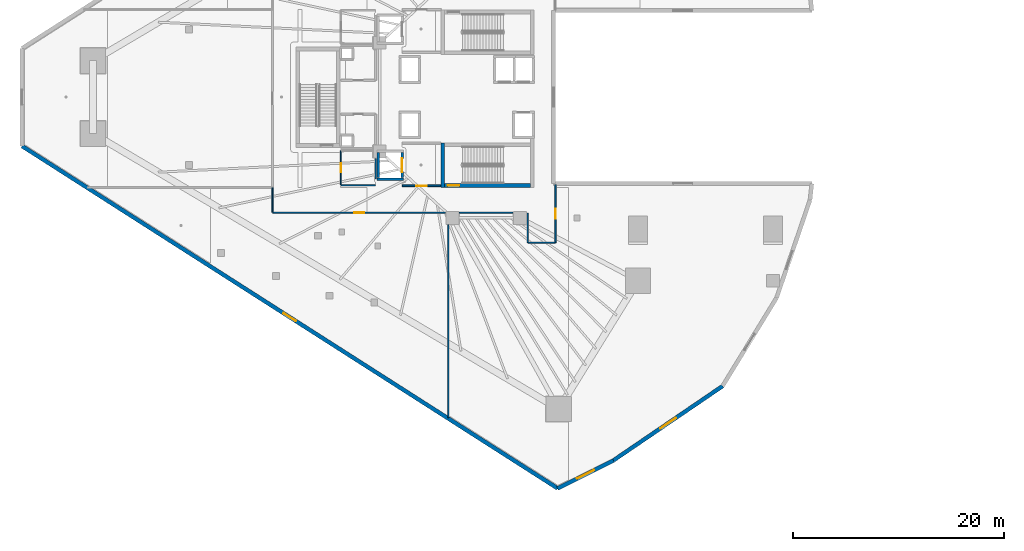
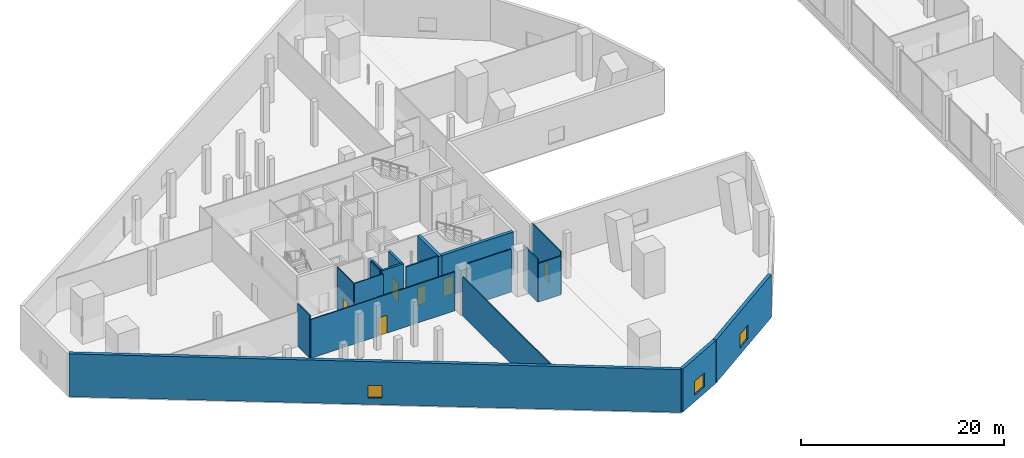
# One storey, part 26 of 47: 19 walls, 6 doors, 3 windows, 9 openings.
"""IFC4 building model written with IfcOpenShell, lengths in metres."""

from ifc_helpers import new_model, si_unit, direction, frame, frame_2d, origin, place, context, subcontext, project, spatial, rectangle, extrude, material, layer, layer_set, type_object, element, fill, save


model = new_model("IFC4")

# Units and contexts
model_context = context("Model", 3, precision=1e-05, world=origin(), true_north=direction((0.0, 1.0)))
body_context = subcontext(model_context, "Body", "Model", "MODEL_VIEW")
ifc_project = project(units=[si_unit("LENGTHUNIT", "METRE"), si_unit("AREAUNIT", "SQUARE_METRE"), si_unit("VOLUMEUNIT", "CUBIC_METRE"), si_unit("PLANEANGLEUNIT", "RADIAN"), si_unit("MASSUNIT", "GRAM", prefix="KILO")], contexts=[model_context])

# Site, building, storey
site_placement = place(None, origin())
site = spatial("IfcSite", under=ifc_project, at=site_placement, CompositionType="ELEMENT")
building_placement = place(site_placement, origin())
building = spatial("IfcBuilding", under=site, at=building_placement, Name="Qorvath Tower", CompositionType="ELEMENT")
storey_placement = place(building_placement, frame((0.0, 0.0, 6.60009765625)))
storey = spatial("IfcBuildingStorey", under=building, at=storey_placement, Name="L01", CompositionType="ELEMENT", Elevation=6.60009765625)

# Wall, opening, door
ifc_material_1 = material(Name="Gypsum shaftliner on steel studs", Category="steel")
ifc_layer_1 = layer(ifc_material_1, 0.179931640625)
ifc_layer_set_1 = layer_set([ifc_layer_1], Name="FW-LOBBY")
wall_type_1 = type_object("IfcWallType", Name="FW-LOBBY", PredefinedType="PARTITIONING", material=ifc_layer_set_1)
wall_1_placement = place(storey_placement, frame((-28.35498046875, -8.39990234375, 0.0), z_axis=(0.0, 0.0, 1.0), x_axis=(1.0, 0.0, 0.0)))
wall_1 = element("IfcWall", 1, at=wall_1_placement, inside=storey, type_object=wall_type_1, Name="Interior Partition IW-T1-L01-003", PredefinedType="PARTITIONING", context=body_context, shape_type="SweptSolid", body=[
    extrude(rectangle(XDim=3.6220703125, YDim=0.179931640625, at=frame_2d((1.81103515625, 0.0))), origin(), (0.0, 0.0, 1.0), 5.139892578125),
])
opening_1_placement = place(wall_1_placement, frame((1.31103515625, 0.0, 0.0)))
opening_1 = element("IfcOpeningElement", 2, at=opening_1_placement, cuts=wall_1, Name="Opening D-T1-L01-12", PredefinedType="OPENING", context=body_context, shape_type="SweptSolid", body=[
    extrude(rectangle(XDim=1.0, YDim=2.14990234375, at=frame_2d((0.5, 1.074951171875))), frame((0.0, 0.10009765625, 0.0), z_axis=(0.0, -1.0, 0.0), x_axis=(1.0, 0.0, 0.0)), (0.0, 0.0, 1.0), 0.199951171875),
])
ifc_material_2 = material(Name="Painted galvanised hollow metal", Category="steel")
door_type_1 = type_object("IfcDoorType", Name="FD-60", OperationType="NOTDEFINED", PredefinedType="DOOR", material=ifc_material_2)
door_1_placement = place(opening_1_placement, origin())
door_1 = element("IfcDoor", 3, at=door_1_placement, inside=storey, type_object=door_type_1, Name="Lobby Fire Service Elevator South Door D-T1-L01-12", OperationType="SINGLE_SWING_LEFT", OverallHeight=2.14990234375, OverallWidth=1.0, PredefinedType="DOOR", context=body_context, shape_type="SweptSolid", body=[
    extrude(rectangle(XDim=1.0, YDim=2.14990234375, at=frame_2d((0.5, 1.074951171875))), frame((0.0, 0.02490234375, 0.0), z_axis=(0.0, -1.0, 0.0), x_axis=(1.0, 0.0, 0.0)), (0.0, 0.0, 1.0), 0.050048828125),
])
fill(opening_1, door_1)

ifc_material_3 = material(Name="Gypsum board on metal studs with mineral wool", Category="gypsum")
ifc_layer_2 = layer(ifc_material_3, 0.125)
ifc_layer_set_2 = layer_set([ifc_layer_2], Name="IW-PART-125")
wall_type_2 = type_object("IfcWallType", Name="IW-PART-125", PredefinedType="PARTITIONING", material=ifc_layer_set_2)
wall_2_placement = place(storey_placement, frame((-13.842041015625, -8.280029296875, 0.0), z_axis=(0.0, 0.0, 1.0), x_axis=(0.0, -1.0, 0.0)))
wall_2 = element("IfcWall", 4, at=wall_2_placement, inside=storey, type_object=wall_type_2, Name="Interior Partition IW-T1-L01-028", PredefinedType="PARTITIONING", context=body_context, shape_type="SweptSolid", body=[
    extrude(rectangle(XDim=5.503173828125, YDim=0.125, at=frame_2d((2.75146484375, 0.0))), origin(), (0.0, 0.0, 1.0), 5.139892578125),
])
opening_2_placement = place(wall_2_placement, frame((2.276611328125, 0.0, 0.0)))
opening_2 = element("IfcOpeningElement", 5, at=opening_2_placement, cuts=wall_2, Name="Opening D-T1-L01-08", PredefinedType="OPENING", context=body_context, shape_type="SweptSolid", body=[
    extrude(rectangle(XDim=0.949951171875, YDim=2.14990234375, at=frame_2d((0.47509765625, 1.074951171875))), frame((0.0, 0.072509765625, 0.0), z_axis=(0.0, -1.0, 0.0), x_axis=(1.0, 0.0, 0.0)), (0.0, 0.0, 1.0), 0.14501953125),
])
ifc_material_4 = material(Name="Solid-core American white oak veneer", Category="wood")
door_type_2 = type_object("IfcDoorType", Name="D-01", OperationType="NOTDEFINED", PredefinedType="DOOR", material=ifc_material_4)
door_2_placement = place(opening_2_placement, origin())
door_2 = element("IfcDoor", 6, at=door_2_placement, inside=storey, type_object=door_type_2, Name="L01-04 Project Collaboration Workspace Door D-T1-L01-08", OperationType="SINGLE_SWING_LEFT", OverallHeight=2.14990234375, OverallWidth=0.949951171875, PredefinedType="DOOR", context=body_context, shape_type="SweptSolid", body=[
    extrude(rectangle(XDim=0.949951171875, YDim=2.14990234375, at=frame_2d((0.47509765625, 1.074951171875))), frame((0.0, 0.02490234375, 0.0), z_axis=(0.0, -1.0, 0.0), x_axis=(1.0, 0.0, 0.0)), (0.0, 0.0, 1.0), 0.050048828125),
])
fill(opening_2, door_2)

# Walls
wall_3_placement = place(storey_placement, frame((-13.866943359375, -13.80810546875, 0.0), z_axis=(0.0, 0.0, 1.0), x_axis=(-1.0, 0.0, 0.0)))
element("IfcWall", 7, at=wall_3_placement, inside=storey, type_object=wall_type_2, Name="Interior Partition IW-T1-L01-029", PredefinedType="PARTITIONING", context=body_context, shape_type="SweptSolid", body=[
    extrude(rectangle(XDim=2.566162109375, YDim=0.125, at=frame_2d((1.283203125, 0.0))), origin(), (0.0, 0.0, 1.0), 4.65283203125),
])
wall_4_placement = place(storey_placement, frame((-16.4580078125, -10.98291015625, 0.0), z_axis=(0.0, 0.0, 1.0), x_axis=(0.0, -1.0, 0.0)))
element("IfcWall", 8, at=wall_4_placement, inside=storey, type_object=wall_type_2, Name="Interior Partition IW-T1-L01-030", PredefinedType="PARTITIONING", context=body_context, shape_type="SweptSolid", body=[
    extrude(rectangle(XDim=2.80029296875, YDim=0.125, at=frame_2d((1.400146484375, 0.0))), origin(), (0.0, 0.0, 1.0), 5.139892578125),
])
wall_5_placement = place(storey_placement, frame((-17.864990234375, -10.9580078125, 0.0), z_axis=(0.0, 0.0, 1.0), x_axis=(-1.0, 0.0, 0.0)))
element("IfcWall", 9, at=wall_5_placement, inside=storey, type_object=wall_type_2, Name="Interior Partition IW-T1-L01-031", PredefinedType="PARTITIONING", context=body_context, shape_type="SweptSolid", body=[
    extrude(rectangle(XDim=5.070068359375, YDim=0.125, at=frame_2d((2.53515625, 0.0))), origin(), (0.0, 0.0, 1.0), 5.139892578125),
])
wall_6_placement = place(storey_placement, frame((-24.0, -12.114990234375, 0.0), z_axis=(0.0, 0.0, 1.0), x_axis=(0.0, -1.0, 0.0)))
element("IfcWall", 10, at=wall_6_placement, inside=storey, type_object=wall_type_2, Name="Interior Partition IW-T1-L01-032", PredefinedType="PARTITIONING", context=body_context, shape_type="SweptSolid", body=[
    extrude(rectangle(XDim=18.27490234375, YDim=0.125, at=frame_2d((9.137451171875, 0.0))), origin(), (0.0, 0.0, 1.0), 4.65283203125),
])

# Wall, opening, door
wall_7_placement = place(storey_placement, frame((-24.264892578125, -10.9580078125, 0.0), z_axis=(0.0, 0.0, 1.0), x_axis=(-1.0, 0.0, 0.0)))
wall_7 = element("IfcWall", 11, at=wall_7_placement, inside=storey, type_object=wall_type_2, Name="Interior Partition IW-T1-L01-033", PredefinedType="PARTITIONING", context=body_context, shape_type="SweptSolid", body=[
    extrude(rectangle(XDim=16.3681640625, YDim=0.125, at=frame_2d((8.18408203125, 0.0))), origin(), (0.0, 0.0, 1.0), 4.65283203125),
])
opening_3_placement = place(wall_7_placement, frame((7.708984375, 0.0, 0.0)))
opening_3 = element("IfcOpeningElement", 12, at=opening_3_placement, cuts=wall_7, Name="Opening D-T1-L01-09", PredefinedType="OPENING", context=body_context, shape_type="SweptSolid", body=[
    extrude(rectangle(XDim=0.949951171875, YDim=2.14990234375, at=frame_2d((0.47509765625, 1.074951171875))), frame((0.0, 0.072509765625, 0.0), z_axis=(0.0, -1.0, 0.0), x_axis=(1.0, 0.0, 0.0)), (0.0, 0.0, 1.0), 0.14501953125),
])
door_3_placement = place(opening_3_placement, origin())
door_3 = element("IfcDoor", 13, at=door_3_placement, inside=storey, type_object=door_type_2, Name="L01-05 Quantitative Research Studio Door D-T1-L01-09", OperationType="SINGLE_SWING_RIGHT", OverallHeight=2.14990234375, OverallWidth=0.949951171875, PredefinedType="DOOR", context=body_context, shape_type="SweptSolid", body=[
    extrude(rectangle(XDim=0.949951171875, YDim=2.14990234375, at=frame_2d((0.47509765625, 1.074951171875))), frame((0.0, 0.02490234375, 0.0), z_axis=(0.0, -1.0, 0.0), x_axis=(1.0, 0.0, 0.0)), (0.0, 0.0, 1.0), 0.050048828125),
])
fill(opening_3, door_3)

# Walls
wall_8_placement = place(storey_placement, frame((-40.657958984375, -8.574951171875, 0.0), z_axis=(0.0, 0.0, 1.0), x_axis=(0.0, -1.0, 0.0)))
element("IfcWall", 14, at=wall_8_placement, inside=storey, type_object=wall_type_2, Name="Interior Partition IW-T1-L01-034", PredefinedType="PARTITIONING", context=body_context, shape_type="SweptSolid", body=[
    extrude(rectangle(XDim=2.358154296875, YDim=0.125, at=frame_2d((1.17919921875, 0.0))), origin(), (0.0, 0.0, 1.0), 5.139892578125),
])
ifc_material_5 = material(Name="Moisture-resistant cement board on metal studs", Category="gypsum")
ifc_layer_3 = layer(ifc_material_5, 0.110107421875)
ifc_layer_set_3 = layer_set([ifc_layer_3], Name="IW-WC-110")
wall_type_3 = type_object("IfcWallType", Name="IW-WC-110", PredefinedType="PARTITIONING", material=ifc_layer_set_3)
wall_9_placement = place(storey_placement, frame((-34.15478515625, -8.35009765625, 0.0), z_axis=(0.0, 0.0, 1.0), x_axis=(1.0, 0.0, 0.0)))
element("IfcWall", 15, at=wall_9_placement, inside=storey, type_object=wall_type_3, Name="Interior Partition IW-T1-L01-009", PredefinedType="PARTITIONING", context=body_context, shape_type="SweptSolid", body=[
    extrude(rectangle(XDim=3.25, YDim=0.110107421875, at=frame_2d((1.625, 0.0))), origin(), (0.0, 0.0, 1.0), 5.139892578125),
])
wall_10_placement = place(storey_placement, frame((-30.8798828125, -7.742919921875, 0.0), z_axis=(0.0, 0.0, 1.0), x_axis=(0.0, 1.0, 0.0)))
element("IfcWall", 16, at=wall_10_placement, inside=storey, type_object=wall_type_3, Name="Interior Partition IW-T1-L01-010", PredefinedType="PARTITIONING", context=body_context, shape_type="SweptSolid", body=[
    extrude(rectangle(XDim=1.927978515625, YDim=0.110107421875, at=frame_2d((0.9638671875, 0.0))), origin(), (0.0, 0.0, 1.0), 5.139892578125),
])

# Wall, opening, door
wall_11_placement = place(storey_placement, frame((-34.179931640625, -5.074951171875, 0.0), z_axis=(0.0, 0.0, 1.0), x_axis=(0.0, -1.0, 0.0)))
wall_11 = element("IfcWall", 17, at=wall_11_placement, inside=storey, type_object=wall_type_3, Name="Interior Partition IW-T1-L01-012", PredefinedType="PARTITIONING", context=body_context, shape_type="SweptSolid", body=[
    extrude(rectangle(XDim=3.250244140625, YDim=0.110107421875, at=frame_2d((1.625, 0.0))), origin(), (0.0, 0.0, 1.0), 5.139892578125),
])
opening_4_placement = place(wall_11_placement, frame((1.18505859375, 0.0, 0.0)))
opening_4 = element("IfcOpeningElement", 18, at=opening_4_placement, cuts=wall_11, Name="Opening D-T1-L01-02", PredefinedType="OPENING", context=body_context, shape_type="SweptSolid", body=[
    extrude(rectangle(XDim=0.8798828125, YDim=2.10009765625, at=frame_2d((0.43994140625, 1.050048828125))), frame((0.0, 0.06494140625, 0.0), z_axis=(0.0, -1.0, 0.0), x_axis=(1.0, 0.0, 0.0)), (0.0, 0.0, 1.0), 0.130126953125),
])
ifc_material_6 = material(Name="Solid-core oak with acoustic drop seal", Category="wood")
door_type_3 = type_object("IfcDoorType", Name="D-02", OperationType="NOTDEFINED", PredefinedType="DOOR", material=ifc_material_6)
door_4_placement = place(opening_4_placement, origin())
door_4 = element("IfcDoor", 19, at=door_4_placement, inside=storey, type_object=door_type_3, Name="Accessible WC South L01 Door D-T1-L01-02", OperationType="SINGLE_SWING_LEFT", OverallHeight=2.10009765625, OverallWidth=0.8798828125, PredefinedType="DOOR", context=body_context, shape_type="SweptSolid", body=[
    extrude(rectangle(XDim=0.8798828125, YDim=2.10009765625, at=frame_2d((0.43994140625, 1.050048828125))), frame((0.0, 0.02490234375, 0.0), z_axis=(0.0, -1.0, 0.0), x_axis=(1.0, 0.0, 0.0)), (0.0, 0.0, 1.0), 0.050048828125),
])
fill(opening_4, door_4)

# Walls
ifc_material_7 = material(Name="Concrete C60/75", Category="concrete")
ifc_layer_4 = layer(ifc_material_7, 0.260009765625)
ifc_layer_set_4 = layer_set([ifc_layer_4], Name="SW-SHAFT")
wall_type_4 = type_object("IfcWallType", Name="SW-SHAFT", PredefinedType="SHEAR", material=ifc_layer_set_4)
wall_12_placement = place(storey_placement, frame((-28.260009765625, -7.77001953125, 0.0), z_axis=(0.0, 0.0, 1.0), x_axis=(-1.0, 0.0, 0.0)))
element("IfcWall", 20, at=wall_12_placement, inside=storey, type_object=wall_type_4, Name="Hoistway Wall FSAE-2 L01 S", PredefinedType="SHEAR", context=body_context, shape_type="SweptSolid", body=[
    extrude(rectangle(XDim=2.47998046875, YDim=0.239990234375, at=frame_2d((1.239990234375, 0.0))), origin(), (0.0, 0.0, 1.0), 5.139892578125),
])
wall_13_placement = place(storey_placement, frame((-30.6201171875, -7.637939453125, 0.0), z_axis=(0.0, 0.0, 1.0), x_axis=(0.0, 1.0, 0.0)))
element("IfcWall", 21, at=wall_13_placement, inside=storey, type_object=wall_type_4, Name="Hoistway Wall FSAE-2 L01 W", PredefinedType="SHEAR", context=body_context, shape_type="SweptSolid", body=[
    extrude(rectangle(XDim=2.3759765625, YDim=0.239990234375, at=frame_2d((1.18798828125, 0.0))), origin(), (0.0, 0.0, 1.0), 5.139892578125),
])

# Wall, opening, door
wall_14_placement = place(storey_placement, frame((-28.3798828125, -5.261962890625, 0.0), z_axis=(0.0, 0.0, 1.0), x_axis=(0.0, -1.0, 0.0)))
wall_14 = element("IfcWall", 22, at=wall_14_placement, inside=storey, type_object=wall_type_4, Name="Hoistway Wall FSAE-2 L01 E", PredefinedType="SHEAR", context=body_context, shape_type="SweptSolid", body=[
    extrude(rectangle(XDim=2.3759765625, YDim=0.239990234375, at=frame_2d((1.18798828125, 0.0))), origin(), (0.0, 0.0, 1.0), 5.139892578125),
])
opening_5_placement = place(wall_14_placement, frame((0.5380859375, 0.0, 0.0)))
opening_5 = element("IfcOpeningElement", 23, at=opening_5_placement, cuts=wall_14, Name="Opening LD-FSAE-2-L01", PredefinedType="OPENING", context=body_context, shape_type="SweptSolid", body=[
    extrude(rectangle(XDim=1.300048828125, YDim=2.300048828125, at=frame_2d((0.64990234375, 1.14990234375))), frame((0.0, 0.1298828125, 0.0), z_axis=(0.0, -1.0, 0.0), x_axis=(1.0, 0.0, 0.0)), (0.0, 0.0, 1.0), 0.260009765625),
])
ifc_material_8 = material(Name="Brushed stainless steel AISI 316", Category="steel")
door_type_4 = type_object("IfcDoorType", Name="LD-02", OperationType="NOTDEFINED", PredefinedType="DOOR", material=ifc_material_8)
door_5_placement = place(opening_5_placement, origin())
door_5 = element("IfcDoor", 24, at=door_5_placement, inside=storey, type_object=door_type_4, Name="Elevator Landing Sliding Door LD-FSAE-2-L01", OperationType="DOUBLE_DOOR_SLIDING", OverallHeight=2.300048828125, OverallWidth=1.300048828125, PredefinedType="DOOR", context=body_context, shape_type="SweptSolid", body=[
    extrude(rectangle(XDim=1.300048828125, YDim=2.300048828125, at=frame_2d((0.64990234375, 1.14990234375))), frame((0.0, 0.02490234375, 0.0), z_axis=(0.0, -1.0, 0.0), x_axis=(1.0, 0.0, 0.0)), (0.0, 0.0, 1.0), 0.050048828125),
])
fill(opening_5, door_5)

# Wall
ifc_material_9 = material(Name="Concrete C60/75", Category="concrete")
ifc_layer_5 = layer(ifc_material_9, 0.35009765625)
ifc_layer_set_5 = layer_set([ifc_layer_5], Name="SW-STAIR")
wall_type_5 = type_object("IfcWallType", Name="SW-STAIR", PredefinedType="SHEAR", material=ifc_layer_set_5)
wall_15_placement = place(storey_placement, frame((-24.52490234375, -4.340087890625, 0.0), z_axis=(0.0, 0.0, 1.0), x_axis=(0.0, -1.0, 0.0)))
element("IfcWall", 25, at=wall_15_placement, inside=storey, type_object=wall_type_5, Name="Stair TS2 Shear Wall L01 NEAR", PredefinedType="SHEAR", context=body_context, shape_type="SweptSolid", body=[
    extrude(rectangle(XDim=4.2099609375, YDim=0.35009765625, at=frame_2d((2.10498046875, 0.0))), origin(), (0.0, 0.0, 1.0), 5.139892578125),
])

# Wall, opening, door
wall_16_placement = place(storey_placement, frame((-24.3349609375, -8.375, 0.0), z_axis=(0.0, 0.0, 1.0), x_axis=(1.0, 0.0, 0.0)))
wall_16 = element("IfcWall", 26, at=wall_16_placement, inside=storey, type_object=wall_type_5, Name="Stair TS2 Shear Wall L01 LEFT", PredefinedType="SHEAR", context=body_context, shape_type="SweptSolid", body=[
    extrude(rectangle(XDim=8.119873046875, YDim=0.35009765625, at=frame_2d((4.06005859375, 0.0))), origin(), (0.0, 0.0, 1.0), 5.139892578125),
])
opening_6_placement = place(wall_16_placement, frame((0.280029296875, 0.0, 0.0)))
opening_6 = element("IfcOpeningElement", 27, at=opening_6_placement, cuts=wall_16, Name="Opening D-TS2-L01", PredefinedType="OPENING", context=body_context, shape_type="SweptSolid", body=[
    extrude(rectangle(XDim=1.10009765625, YDim=2.199951171875, at=frame_2d((0.550048828125, 1.10009765625))), frame((0.0, 0.18505859375, 0.0), z_axis=(0.0, -1.0, 0.0), x_axis=(1.0, 0.0, 0.0)), (0.0, 0.0, 1.0), 0.3701171875),
])
ifc_material_10 = material(Name="Painted galvanised hollow metal", Category="steel")
door_type_5 = type_object("IfcDoorType", Name="FD-90", OperationType="NOTDEFINED", PredefinedType="DOOR", material=ifc_material_10)
door_6_placement = place(opening_6_placement, origin())
door_6 = element("IfcDoor", 28, at=door_6_placement, inside=storey, type_object=door_type_5, Name="Stair TS2 Fire Door L01", OperationType="SINGLE_SWING_RIGHT", OverallHeight=2.199951171875, OverallWidth=1.10009765625, PredefinedType="DOOR", context=body_context, shape_type="SweptSolid", body=[
    extrude(rectangle(XDim=1.10009765625, YDim=2.199951171875, at=frame_2d((0.550048828125, 1.10009765625))), frame((0.0, 0.02490234375, 0.0), z_axis=(0.0, -1.0, 0.0), x_axis=(1.0, 0.0, 0.0)), (0.0, 0.0, 1.0), 0.050048828125),
])
fill(opening_6, door_6)

# Wall, opening, window
ifc_material_11 = material(Name="Precast concrete C50/60", Category="concrete")
ifc_layer_6 = layer(ifc_material_11, 0.3798828125)
ifc_layer_set_6 = layer_set([ifc_layer_6], Name="WL-EW-POD-380")
wall_type_6 = type_object("IfcWallType", Name="WL-EW-POD-380", PredefinedType="SOLIDWALL", material=ifc_layer_set_6)
wall_17_placement = place(storey_placement, frame((-13.63525390625, -37.094482421875, 0.0), z_axis=(0.0, 0.0, 1.0), x_axis=(-0.842602364841, 0.538536214905, 0.0)))
wall_17 = element("IfcWall", 29, at=wall_17_placement, inside=storey, type_object=wall_type_6, Name="Tower Podium Precast Facade Wall L01-11.1", PredefinedType="SOLIDWALL", context=body_context, shape_type="SweptSolid", body=[
    extrude(rectangle(XDim=60.270263671875, YDim=0.3798828125, at=frame_2d((30.13525390625, 0.0))), origin(), (0.0, 0.0, 1.0), 5.139892578125),
])
opening_7_placement = place(wall_17_placement, frame((29.43505859375, 0.0, 0.800048828125)))
opening_7 = element("IfcOpeningElement", 30, at=opening_7_placement, cuts=wall_17, Name="Opening WN-L01-010", PredefinedType="OPENING", context=body_context, shape_type="SweptSolid", body=[
    extrude(rectangle(XDim=1.39990234375, YDim=1.5, at=frame_2d((0.699951171875, 0.75))), frame((0.0, 0.199951171875, 0.0), z_axis=(0.0, -1.0, 0.0), x_axis=(1.0, 0.0, 0.0)), (0.0, 0.0, 1.0), 0.39990234375),
])
ifc_material_12 = material(Name="Thermally broken aluminium and triple low-E glass", Category="aluminium")
window_type_1 = type_object("IfcWindowType", Name="WN-3", PartitioningType="SINGLE_PANEL", PredefinedType="WINDOW", material=ifc_material_12)
window_1_placement = place(opening_7_placement, origin())
window_1 = element("IfcWindow", 31, at=window_1_placement, inside=storey, type_object=window_type_1, Name="Podium Punched Window L01-010", OverallHeight=1.5, OverallWidth=1.39990234375, PartitioningType="SINGLE_PANEL", PredefinedType="WINDOW", context=body_context, shape_type="SweptSolid", body=[
    extrude(rectangle(XDim=1.39990234375, YDim=1.5, at=frame_2d((0.699951171875, 0.75))), frame((0.0, 0.030029296875, 0.0), z_axis=(0.0, -1.0, 0.0), x_axis=(1.0, 0.0, 0.0)), (0.0, 0.0, 1.0), 0.06005859375),
])
fill(opening_7, window_1)

wall_18_placement = place(storey_placement, frame((-8.3359375, -34.44482421875, 0.0), z_axis=(0.0, 0.0, 1.0), x_axis=(-0.894427191, -0.4472135955, 0.0)))
wall_18 = element("IfcWall", 32, at=wall_18_placement, inside=storey, type_object=wall_type_6, Name="Tower Podium Precast Facade Wall L01-12.1", PredefinedType="SOLIDWALL", context=body_context, shape_type="SweptSolid", body=[
    extrude(rectangle(XDim=5.9248046875, YDim=0.3798828125, at=frame_2d((2.96240234375, 0.0))), origin(), (0.0, 0.0, 1.0), 5.139892578125),
])
opening_8_placement = place(wall_18_placement, frame((2.0625, 0.0, 0.800048828125)))
opening_8 = element("IfcOpeningElement", 33, at=opening_8_placement, cuts=wall_18, Name="Opening WN-L01-011", PredefinedType="OPENING", context=body_context, shape_type="SweptSolid", body=[
    extrude(rectangle(XDim=1.800048828125, YDim=1.64990234375, at=frame_2d((0.89990234375, 0.824951171875))), frame((0.0, 0.199951171875, 0.0), z_axis=(0.0, -1.0, 0.0), x_axis=(1.0, 0.0, 0.0)), (0.0, 0.0, 1.0), 0.39990234375),
])
ifc_material_13 = material(Name="Thermally broken aluminium and triple low-E glass", Category="aluminium")
window_type_2 = type_object("IfcWindowType", Name="WN-1", PartitioningType="SINGLE_PANEL", PredefinedType="WINDOW", material=ifc_material_13)
window_2_placement = place(opening_8_placement, origin())
window_2 = element("IfcWindow", 34, at=window_2_placement, inside=storey, type_object=window_type_2, Name="Podium Punched Window L01-011", OverallHeight=1.64990234375, OverallWidth=1.800048828125, PartitioningType="SINGLE_PANEL", PredefinedType="WINDOW", context=body_context, shape_type="SweptSolid", body=[
    extrude(rectangle(XDim=1.800048828125, YDim=1.64990234375, at=frame_2d((0.89990234375, 0.824951171875))), frame((0.0, 0.030029296875, 0.0), z_axis=(0.0, -1.0, 0.0), x_axis=(1.0, 0.0, 0.0)), (0.0, 0.0, 1.0), 0.06005859375),
])
fill(opening_8, window_2)

wall_19_placement = place(storey_placement, frame((2.0205078125, -27.39501953125, 0.0), z_axis=(0.0, 0.0, 1.0), x_axis=(-0.826650936963, -0.562715050819, 0.0)))
wall_19 = element("IfcWall", 35, at=wall_19_placement, inside=storey, type_object=wall_type_6, Name="Tower Podium Precast Facade Wall L01-13.1", PredefinedType="SOLIDWALL", context=body_context, shape_type="SweptSolid", body=[
    extrude(rectangle(XDim=12.528076171875, YDim=0.3798828125, at=frame_2d((6.26416015625, 0.0))), origin(), (0.0, 0.0, 1.0), 5.139892578125),
])
opening_9_placement = place(wall_19_placement, frame((5.364013671875, 0.0, 0.800048828125)))
opening_9 = element("IfcOpeningElement", 36, at=opening_9_placement, cuts=wall_19, Name="Opening WN-L01-012", PredefinedType="OPENING", context=body_context, shape_type="SweptSolid", body=[
    extrude(rectangle(XDim=1.800048828125, YDim=1.64990234375, at=frame_2d((0.89990234375, 0.824951171875))), frame((0.0, 0.199951171875, 0.0), z_axis=(0.0, -1.0, 0.0), x_axis=(1.0, 0.0, 0.0)), (0.0, 0.0, 1.0), 0.39990234375),
])
window_3_placement = place(opening_9_placement, origin())
window_3 = element("IfcWindow", 37, at=window_3_placement, inside=storey, type_object=window_type_2, Name="Podium Punched Window L01-012", OverallHeight=1.64990234375, OverallWidth=1.800048828125, PartitioningType="SINGLE_PANEL", PredefinedType="WINDOW", context=body_context, shape_type="SweptSolid", body=[
    extrude(rectangle(XDim=1.800048828125, YDim=1.64990234375, at=frame_2d((0.89990234375, 0.824951171875))), frame((0.0, 0.030029296875, 0.0), z_axis=(0.0, -1.0, 0.0), x_axis=(1.0, 0.0, 0.0)), (0.0, 0.0, 1.0), 0.06005859375),
])
fill(opening_9, window_3)

save(model, "model.ifc")
